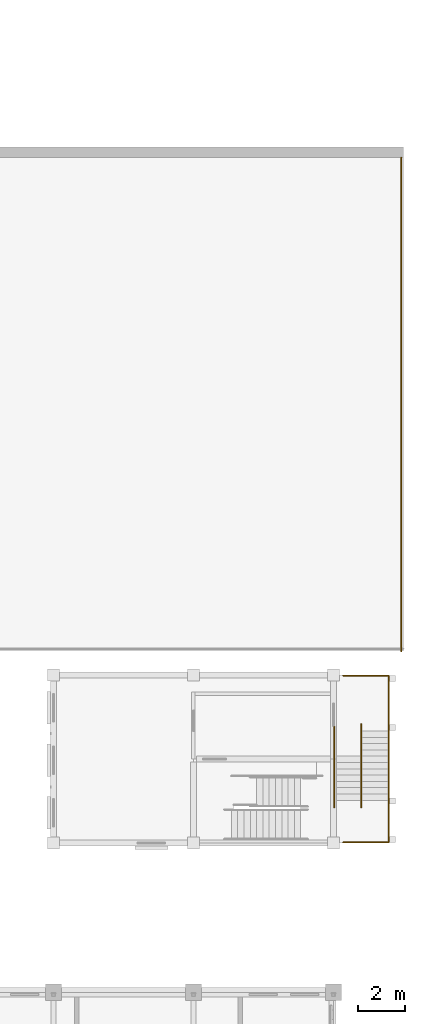
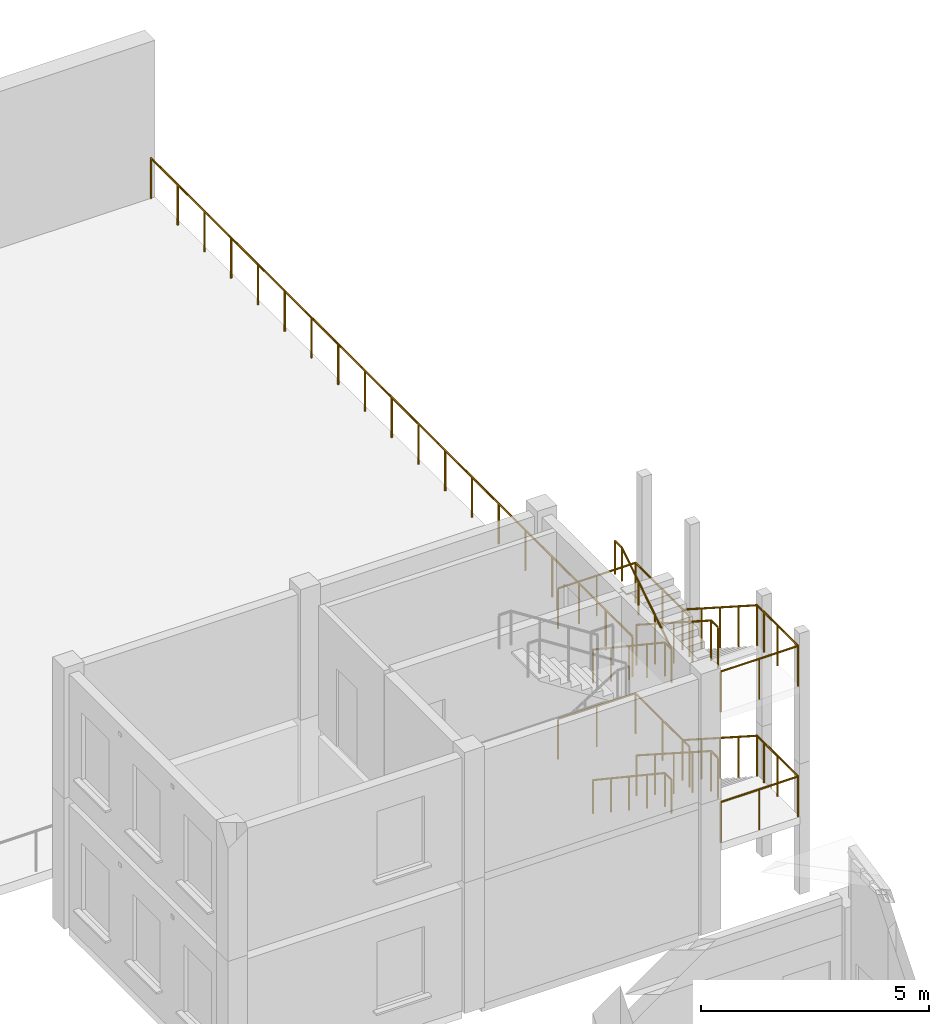
# One storey, part 102 of 103: 12 railings.
"""IFC4 building model written with IfcOpenShell, lengths in metres."""

import ifcopenshell
import ifcopenshell.guid

model = None  # the IFC model being written
_history = None  # IfcOwnerHistory: only IFC2X3 demands one
_inside = {}  # id of a spatial element -> (the spatial element, [elements in it])
_under = {}  # id of a project, library or spatial element -> (it, [spatial elements below it])
_declared = {}  # id of a project -> (the project, [libraries it declares])
_typed = {}  # id of a type object -> (the type object, [elements of that type])
_made_of = {}  # id of a material, layer set ... -> (it, [elements and type objects made of it])


def new_model(schema):
    """Start an empty IFC model of exactly this schema.

    Asked for "IFC4X3", IfcOpenShell would pick the latest addendum, in which some entities
    have other attributes; the version numbers below select the first issue.
    IFC2X3 requires an IfcOwnerHistory on every rooted entity: one is made here for all.
    """
    global model, _history
    if schema == "IFC4X3":
        model = ifcopenshell.file(schema_version=(4, 3, 0, 0))
    else:
        model = ifcopenshell.file(schema=schema)
    _inside.clear()
    _under.clear()
    _declared.clear()
    _typed.clear()
    _made_of.clear()
    _history = None
    if model.schema == "IFC2X3":
        org = make("IfcOrganization", Name="unknown")
        user = make(
            "IfcPersonAndOrganization",
            ThePerson=make("IfcPerson", FamilyName="unknown"),
            TheOrganization=org,
        )
        app = make(
            "IfcApplication",
            ApplicationDeveloper=org,
            Version="unknown",
            ApplicationFullName="unknown",
            ApplicationIdentifier="unknown",
        )
        _history = make(
            "IfcOwnerHistory",
            OwningUser=user,
            OwningApplication=app,
            ChangeAction="ADDED",
            CreationDate=0,
        )
    return model


def make(cls, **values):
    """One entity of the class cls with the attributes given. An attribute that is None is left unset."""
    return model.create_entity(
        cls, **{name: value for name, value in values.items() if value is not None}
    )


def rooted(cls, **values):
    """An entity with a GlobalId (a new one), such as an element, a storey or a relation."""
    return make(cls, GlobalId=ifcopenshell.guid.new(), OwnerHistory=_history, **values)


def si_unit(unit_type, name, prefix=None):
    """IfcSIUnit, for example si_unit("LENGTHUNIT", "METRE", prefix="MILLI")."""
    return make("IfcSIUnit", UnitType=unit_type, Prefix=prefix, Name=name)


def assignment(units):
    """IfcUnitAssignment: the units of a project."""
    return None if units is None else make("IfcUnitAssignment", Units=units)


def point(xyz):
    """IfcCartesianPoint."""
    return None if xyz is None else make("IfcCartesianPoint", Coordinates=xyz)


def direction(xyz):
    """IfcDirection."""
    return None if xyz is None else make("IfcDirection", DirectionRatios=xyz)


def frame(location, z_axis=None, x_axis=None):
    """IfcAxis2Placement3D, a coordinate frame: its origin and axes. An axis left out is left unset."""
    return make(
        "IfcAxis2Placement3D",
        Location=point(location),
        Axis=direction(z_axis),
        RefDirection=direction(x_axis),
    )


def frame_2d(location, x_axis=None):
    """IfcAxis2Placement2D, a coordinate frame in the plane: its origin and x axis."""
    return make(
        "IfcAxis2Placement2D", Location=point(location), RefDirection=direction(x_axis)
    )


def origin():
    """The frame at (0, 0, 0) with its axes left unset."""
    return frame((0.0, 0.0, 0.0))


def origin_2d():
    """The frame at (0, 0) in the plane with its x axis left unset."""
    return frame_2d((0.0, 0.0))


def place(relative_to, where):
    """IfcLocalPlacement: puts the frame where relative to a parent placement (None: the world)."""
    return make(
        "IfcLocalPlacement", PlacementRelTo=relative_to, RelativePlacement=where
    )


def context(
    kind, dimensions, precision=None, world=None, true_north=None, identifier=None
):
    """IfcGeometricRepresentationContext, for example the 3D "Model" context."""
    return make(
        "IfcGeometricRepresentationContext",
        ContextIdentifier=identifier,
        ContextType=kind,
        CoordinateSpaceDimension=dimensions,
        Precision=precision,
        WorldCoordinateSystem=world,
        TrueNorth=true_north,
    )


def subcontext(parent, identifier, kind, view, scale=None):
    """IfcGeometricRepresentationSubContext, for example "Body" below "Model"."""
    return make(
        "IfcGeometricRepresentationSubContext",
        ContextIdentifier=identifier,
        ContextType=kind,
        ParentContext=parent,
        TargetScale=scale,
        TargetView=view,
    )


def project(units=None, contexts=None):
    """IfcProject with its units and contexts."""
    return rooted(
        "IfcProject",
        Name="project",
        RepresentationContexts=contexts,
        UnitsInContext=assignment(units),
    )


def spatial(cls, under=None, at=None, **own):
    """A site, building, storey or space (cls), placed at a placement, below another one or the project."""
    s = rooted(cls, ObjectPlacement=at, **own)
    if under is not None:
        _under.setdefault(under.id(), (under, []))[1].append(s)
    return s


def profile(cls, at=None, kind="AREA", **sizes):
    """A parametric profile (cls). Its sizes go by their IFC names, for example OverallWidth=200.0."""
    return make(cls, ProfileType=kind, Position=at, **sizes)


def circle(**sizes):
    """IfcCircleProfileDef."""
    return profile("IfcCircleProfileDef", **sizes)


def extrude(swept, where, along, depth):
    """IfcExtrudedAreaSolid: the profile swept, set in the frame where, extruded along a direction by depth."""
    return make(
        "IfcExtrudedAreaSolid",
        SweptArea=swept,
        Position=where,
        ExtrudedDirection=direction(along),
        Depth=depth,
    )


def shape(context_of_items, identifier, shape_type, items):
    """IfcShapeRepresentation: the items that make up one representation, for example the "Body"."""
    return make(
        "IfcShapeRepresentation",
        ContextOfItems=context_of_items,
        RepresentationIdentifier=identifier,
        RepresentationType=shape_type,
        Items=items,
    )


def material(Name=None, Category=None):
    """IfcMaterial."""
    return make("IfcMaterial", Name=Name, Category=Category)


def made_of(thing, what):
    """Note that an element or type object is made of a material, layer set ...; save() writes the relation."""
    if what is not None:
        _made_of.setdefault(what.id(), (what, []))[1].append(thing)
    return thing


def type_object(cls, material=None, **own):
    """A type object (cls), such as IfcWallType, which elements share."""
    return made_of(rooted(cls, **own), material)


def element(
    cls,
    number,
    at=None,
    inside=None,
    cuts=None,
    type_object=None,
    material=None,
    context=None,
    identifier="Body",
    shape_type=None,
    held_by="IfcProductDefinitionShape",
    body=None,
    shapes=None,
    **own,
):
    """One element of the class cls, such as IfcWall. Its Tag is "e" and its number.

    at: its placement. inside: the storey or other place that contains it. cuts: it is an
    opening in that element (IfcRelVoidsElement). A single representation is given by context,
    identifier, shape_type and body (its items); several are given by shapes. held_by: the class
    of the entity that holds the representations. save() writes the other relations.
    """
    e = rooted(cls, Tag="e%d" % number, ObjectPlacement=at, **own)
    if body is not None:
        shapes = [shape(context, identifier, shape_type, body)]
    if shapes is not None:
        e.Representation = make(held_by, Representations=shapes)
    if inside is not None:
        _inside.setdefault(inside.id(), (inside, []))[1].append(e)
    if cuts is not None:
        rooted(
            "IfcRelVoidsElement", RelatingBuildingElement=cuts, RelatedOpeningElement=e
        )
    if type_object is not None:
        _typed.setdefault(type_object.id(), (type_object, []))[1].append(e)
    return made_of(e, material)


def aggregate(whole, parts):
    """IfcRelAggregates: a whole, such as a stair, and the parts it consists of."""
    return rooted("IfcRelAggregates", RelatingObject=whole, RelatedObjects=parts)


def save(model, path):
    """Write the relations noted so far, then the file.

    IfcRelAggregates (storeys below a building ...), IfcRelContainedInSpatialStructure (elements
    in a storey), IfcRelDefinesByType, IfcRelAssociatesMaterial and IfcRelDeclares: one each for
    every whole, place, type object, material and project.
    """
    for whole, parts in _under.values():
        aggregate(whole, parts)
    for where, things in _inside.values():
        rooted(
            "IfcRelContainedInSpatialStructure",
            RelatedElements=things,
            RelatingStructure=where,
        )
    for kind, things in _typed.values():
        rooted("IfcRelDefinesByType", RelatedObjects=things, RelatingType=kind)
    for what, things in _made_of.values():
        rooted("IfcRelAssociatesMaterial", RelatedObjects=things, RelatingMaterial=what)
    for by, libraries in _declared.values():
        rooted("IfcRelDeclares", RelatingContext=by, RelatedDefinitions=libraries)
    model.write(path)


model = new_model("IFC4")

# Units and contexts
model_context = context("Model", 3, precision=1e-05, world=origin(), true_north=direction((0.0, 1.0)))
body_context = subcontext(model_context, "Body", "Model", "MODEL_VIEW")
ifc_project = project(units=[si_unit("LENGTHUNIT", "METRE"), si_unit("AREAUNIT", "SQUARE_METRE"), si_unit("VOLUMEUNIT", "CUBIC_METRE"), si_unit("PLANEANGLEUNIT", "RADIAN"), si_unit("MASSUNIT", "GRAM", prefix="KILO")], contexts=[model_context])

# Site, building, storey
site_placement = place(None, origin())
site = spatial("IfcSite", under=ifc_project, at=site_placement, CompositionType="ELEMENT")
building_placement = place(site_placement, origin())
building = spatial("IfcBuilding", under=site, at=building_placement, Name="Laocheng Heights Fire and Rescue Headquarters", CompositionType="ELEMENT")
storey_placement = place(building_placement, frame((0.0, 0.0, 4.199951171875)))
storey = spatial("IfcBuildingStorey", under=building, at=storey_placement, Name="L01", CompositionType="ELEMENT", Elevation=4.199951171875)

# Railings
ifc_material_1 = material(Name="Steel Q355B", Category="steel")
railing_type_1 = type_object("IfcRailingType", Name="STAIR GUARD 1100", PredefinedType="GUARDRAIL", material=ifc_material_1)
railing_1_placement = place(storey_placement, frame((128.3701171875, 32.800048828125, -0.699951171875)))
element("IfcRailing", 1, at=railing_1_placement, inside=storey, type_object=railing_type_1, Name="Stair T2 guard F2 landing edge", PredefinedType="GUARDRAIL", context=body_context, shape_type="SweptSolid", body=[
    extrude(circle(Radius=0.02392578125, at=origin_2d()), frame((0.0, 0.0, 1.076171875), z_axis=(0.0, 1.0, 0.0), x_axis=(-1.0, 0.0, 0.0)), (0.0, 0.0, 1.0), 2.369873046875),
    extrude(circle(Radius=0.02392578125, at=origin_2d()), frame((0.0, 2.369873046875, 1.076171875), z_axis=(-1.0, 0.0, 0.0), x_axis=(0.0, -1.0, 0.0)), (0.0, 0.0, 1.0), 1.97021484375),
    extrude(circle(Radius=0.02099609375, at=origin_2d()), origin(), (0.0, 0.0, 1.0), 1.052001953125),
    extrude(circle(Radius=0.02099609375, at=origin_2d()), frame((0.0, 1.18505859375, 0.0)), (0.0, 0.0, 1.0), 1.052001953125),
    extrude(circle(Radius=0.02099609375, at=origin_2d()), frame((0.0, 2.369873046875, 0.0)), (0.0, 0.0, 1.0), 1.052001953125),
    extrude(circle(Radius=0.02099609375, at=origin_2d()), frame((-0.985107421875, 2.369873046875, 0.0)), (0.0, 0.0, 1.0), 1.052001953125),
    extrude(circle(Radius=0.02099609375, at=origin_2d()), frame((-1.97021484375, 2.369873046875, 0.0)), (0.0, 0.0, 1.0), 1.052001953125),
])
for number, where, name in (
    (2, (128.3701171875, 33.10009765625, -0.699951171875), "Stair T2 guard F2 1"),
    (3, (127.199951171875, 33.10009765625, -0.699951171875), "Stair T2 guard F2 2"),
):
    element("IfcRailing", number, at=place(storey_placement, frame(where)), inside=storey, type_object=railing_type_1, Name=name, PredefinedType="GUARDRAIL", context=body_context, shape_type="SweptSolid", body=[
        extrude(circle(Radius=0.02392578125, at=origin_2d()), frame((0.0, 0.0, 1.076171875), z_axis=(0.0, -0.841419242076, 0.540382881913), x_axis=(1.0, 0.0, 0.0)), (0.0, 0.0, 1.0), 3.88623046875),
        extrude(circle(Radius=0.02392578125, at=origin_2d()), frame((0.0, -3.27001953125, 3.17626953125), z_axis=(0.0, -1.0, 0.0), x_axis=(1.0, 0.0, 0.0)), (0.0, 0.0, 1.0), 0.300048828125),
        extrude(circle(Radius=0.02099609375, at=origin_2d()), origin(), (0.0, 0.0, 1.0), 1.052001953125),
        extrude(circle(Radius=0.02099609375, at=origin_2d()), frame((0.0, -0.8173828125, 0.52490234375)), (0.0, 0.0, 1.0), 1.052001953125),
        extrude(circle(Radius=0.02099609375, at=origin_2d()), frame((0.0, -1.635009765625, 1.050048828125)), (0.0, 0.0, 1.0), 1.052001953125),
        extrude(circle(Radius=0.02099609375, at=origin_2d()), frame((0.0, -2.45263671875, 1.5751953125)), (0.0, 0.0, 1.0), 1.052001953125),
        extrude(circle(Radius=0.02099609375, at=origin_2d()), frame((0.0, -3.27001953125, 2.10009765625)), (0.0, 0.0, 1.0), 1.052001953125),
        extrude(circle(Radius=0.02099609375, at=origin_2d()), frame((0.0, -3.570068359375, 2.10009765625)), (0.0, 0.0, 1.0), 1.052001953125),
    ])
railing_2_placement = place(storey_placement, frame((128.3701171875, 29.830078125, 1.400146484375)))
element("IfcRailing", 4, at=railing_2_placement, inside=storey, type_object=railing_type_1, Name="Stair T2 guard F2 half landing", PredefinedType="GUARDRAIL", context=body_context, shape_type="SweptSolid", body=[
    extrude(circle(Radius=0.02392578125, at=origin_2d()), frame((0.0, 0.0, 1.076171875), z_axis=(0.0, -1.0, 0.0), x_axis=(1.0, 0.0, 0.0)), (0.0, 0.0, 1.0), 1.800048828125),
    extrude(circle(Radius=0.02392578125, at=origin_2d()), frame((0.0, -1.800048828125, 1.076171875), z_axis=(-1.0, 0.0, 0.0), x_axis=(0.0, -1.0, 0.0)), (0.0, 0.0, 1.0), 1.97021484375),
    extrude(circle(Radius=0.02099609375, at=origin_2d()), origin(), (0.0, 0.0, 1.0), 1.052001953125),
    extrude(circle(Radius=0.02099609375, at=origin_2d()), frame((0.0, -0.89990234375, 0.0)), (0.0, 0.0, 1.0), 1.052001953125),
    extrude(circle(Radius=0.02099609375, at=origin_2d()), frame((0.0, -1.800048828125, 0.0)), (0.0, 0.0, 1.0), 1.052001953125),
    extrude(circle(Radius=0.02099609375, at=origin_2d()), frame((-0.985107421875, -1.800048828125, 0.0)), (0.0, 0.0, 1.0), 1.052001953125),
    extrude(circle(Radius=0.02099609375, at=origin_2d()), frame((-1.97021484375, -1.800048828125, 0.0)), (0.0, 0.0, 1.0), 1.052001953125),
])
railing_3_placement = place(storey_placement, frame((128.3701171875, 32.800048828125, 2.800048828125)))
element("IfcRailing", 5, at=railing_3_placement, inside=storey, type_object=railing_type_1, Name="Stair T2 guard F3 landing edge", PredefinedType="GUARDRAIL", context=body_context, shape_type="SweptSolid", body=[
    extrude(circle(Radius=0.02392578125, at=origin_2d()), frame((0.0, 0.0, 1.076171875), z_axis=(0.0, 1.0, 0.0), x_axis=(-1.0, 0.0, 0.0)), (0.0, 0.0, 1.0), 2.369873046875),
    extrude(circle(Radius=0.02392578125, at=origin_2d()), frame((0.0, 2.369873046875, 1.076171875), z_axis=(-1.0, 0.0, 0.0), x_axis=(0.0, -1.0, 0.0)), (0.0, 0.0, 1.0), 1.97021484375),
    extrude(circle(Radius=0.02099609375, at=origin_2d()), origin(), (0.0, 0.0, 1.0), 1.052001953125),
    extrude(circle(Radius=0.02099609375, at=origin_2d()), frame((0.0, 1.18505859375, 0.0)), (0.0, 0.0, 1.0), 1.052001953125),
    extrude(circle(Radius=0.02099609375, at=origin_2d()), frame((0.0, 2.369873046875, 0.0)), (0.0, 0.0, 1.0), 1.052001953125),
    extrude(circle(Radius=0.02099609375, at=origin_2d()), frame((-0.985107421875, 2.369873046875, 0.0)), (0.0, 0.0, 1.0), 1.052001953125),
    extrude(circle(Radius=0.02099609375, at=origin_2d()), frame((-1.97021484375, 2.369873046875, 0.0)), (0.0, 0.0, 1.0), 1.052001953125),
])
for number, where, name in (
    (6, (128.3701171875, 33.10009765625, 2.800048828125), "Stair T2 guard F3 1"),
    (7, (127.199951171875, 33.10009765625, 2.800048828125), "Stair T2 guard F3 2"),
):
    element("IfcRailing", number, at=place(storey_placement, frame(where)), inside=storey, type_object=railing_type_1, Name=name, PredefinedType="GUARDRAIL", context=body_context, shape_type="SweptSolid", body=[
        extrude(circle(Radius=0.02392578125, at=origin_2d()), frame((0.0, 0.0, 1.076171875), z_axis=(0.0, -0.841419242076, 0.540382881913), x_axis=(1.0, 0.0, 0.0)), (0.0, 0.0, 1.0), 3.88623046875),
        extrude(circle(Radius=0.02392578125, at=origin_2d()), frame((0.0, -3.27001953125, 3.17626953125), z_axis=(0.0, -1.0, 0.0), x_axis=(1.0, 0.0, 0.0)), (0.0, 0.0, 1.0), 0.300048828125),
        extrude(circle(Radius=0.02099609375, at=origin_2d()), origin(), (0.0, 0.0, 1.0), 1.052001953125),
        extrude(circle(Radius=0.02099609375, at=origin_2d()), frame((0.0, -0.8173828125, 0.52490234375)), (0.0, 0.0, 1.0), 1.052001953125),
        extrude(circle(Radius=0.02099609375, at=origin_2d()), frame((0.0, -1.635009765625, 1.050048828125)), (0.0, 0.0, 1.0), 1.052001953125),
        extrude(circle(Radius=0.02099609375, at=origin_2d()), frame((0.0, -2.45263671875, 1.5751953125)), (0.0, 0.0, 1.0), 1.052001953125),
        extrude(circle(Radius=0.02099609375, at=origin_2d()), frame((0.0, -3.27001953125, 2.10009765625)), (0.0, 0.0, 1.0), 1.052001953125),
        extrude(circle(Radius=0.02099609375, at=origin_2d()), frame((0.0, -3.570068359375, 2.10009765625)), (0.0, 0.0, 1.0), 1.052001953125),
    ])
railing_4_placement = place(storey_placement, frame((128.3701171875, 29.830078125, 4.900146484375)))
element("IfcRailing", 8, at=railing_4_placement, inside=storey, type_object=railing_type_1, Name="Stair T2 guard F3 half landing", PredefinedType="GUARDRAIL", context=body_context, shape_type="SweptSolid", body=[
    extrude(circle(Radius=0.02392578125, at=origin_2d()), frame((0.0, 0.0, 1.076171875), z_axis=(0.0, -1.0, 0.0), x_axis=(1.0, 0.0, 0.0)), (0.0, 0.0, 1.0), 1.800048828125),
    extrude(circle(Radius=0.02392578125, at=origin_2d()), frame((0.0, -1.800048828125, 1.076171875), z_axis=(-1.0, 0.0, 0.0), x_axis=(0.0, -1.0, 0.0)), (0.0, 0.0, 1.0), 1.97021484375),
    extrude(circle(Radius=0.02099609375, at=origin_2d()), origin(), (0.0, 0.0, 1.0), 1.052001953125),
    extrude(circle(Radius=0.02099609375, at=origin_2d()), frame((0.0, -0.89990234375, 0.0)), (0.0, 0.0, 1.0), 1.052001953125),
    extrude(circle(Radius=0.02099609375, at=origin_2d()), frame((0.0, -1.800048828125, 0.0)), (0.0, 0.0, 1.0), 1.052001953125),
    extrude(circle(Radius=0.02099609375, at=origin_2d()), frame((-0.985107421875, -1.800048828125, 0.0)), (0.0, 0.0, 1.0), 1.052001953125),
    extrude(circle(Radius=0.02099609375, at=origin_2d()), frame((-1.97021484375, -1.800048828125, 0.0)), (0.0, 0.0, 1.0), 1.052001953125),
])
ifc_material_2 = material(Name="Steel Q355B", Category="steel")
railing_type_2 = type_object("IfcRailingType", Name="STAIR HANDRAIL 920", PredefinedType="HANDRAIL", material=ifc_material_2)
for number, where, name in (
    (9, (126.030029296875, 32.97998046875, -0.699951171875), "Stair T2 handrail F2 3"),
    (10, (126.030029296875, 32.97998046875, 2.800048828125), "Stair T2 handrail F3 3"),
):
    element("IfcRailing", number, at=place(storey_placement, frame(where)), inside=storey, type_object=railing_type_2, Name=name, PredefinedType="HANDRAIL", context=body_context, shape_type="SweptSolid", body=[
        extrude(circle(Radius=0.02392578125, at=origin_2d()), frame((0.0, 0.0, 0.89599609375), z_axis=(0.0, -0.832030451194, 0.554729959787), x_axis=(1.0, 0.0, 0.0)), (0.0, 0.0, 1.0), 3.785888671875),
        extrude(circle(Radius=0.02392578125, at=origin_2d()), frame((0.0, -3.14990234375, 2.99609375), z_axis=(0.0, -1.0, 0.0), x_axis=(1.0, 0.0, 0.0)), (0.0, 0.0, 1.0), 0.300048828125),
        extrude(circle(Radius=0.02099609375, at=origin_2d()), origin(), (0.0, 0.0, 1.0), 0.871826171875),
        extrude(circle(Radius=0.02099609375, at=origin_2d()), frame((0.0, -0.78759765625, 0.52490234375)), (0.0, 0.0, 1.0), 0.871826171875),
        extrude(circle(Radius=0.02099609375, at=origin_2d()), frame((0.0, -1.574951171875, 1.050048828125)), (0.0, 0.0, 1.0), 0.871826171875),
        extrude(circle(Radius=0.02099609375, at=origin_2d()), frame((0.0, -2.3623046875, 1.5751953125)), (0.0, 0.0, 1.0), 0.871826171875),
        extrude(circle(Radius=0.02099609375, at=origin_2d()), frame((0.0, -3.14990234375, 2.10009765625)), (0.0, 0.0, 1.0), 0.871826171875),
        extrude(circle(Radius=0.02099609375, at=origin_2d()), frame((0.0, -3.449951171875, 2.10009765625)), (0.0, 0.0, 1.0), 0.871826171875),
    ])
railing_5_placement = place(storey_placement, frame((126.030029296875, 29.530029296875, 4.900146484375)))
element("IfcRailing", 11, at=railing_5_placement, inside=storey, type_object=railing_type_2, Name="Stair T2 handrail F3 4", PredefinedType="HANDRAIL", context=body_context, shape_type="SweptSolid", body=[
    extrude(circle(Radius=0.02392578125, at=origin_2d()), frame((0.0, 0.0, 0.89599609375), z_axis=(0.0, 0.842561281479, 0.538600489186), x_axis=(-1.0, 0.0, 0.0)), (0.0, 0.0, 1.0), 2.59912109375),
    extrude(circle(Radius=0.02392578125, at=origin_2d()), frame((0.0, 2.18994140625, 2.2958984375), z_axis=(0.0, 1.0, 0.0), x_axis=(-1.0, 0.0, 0.0)), (0.0, 0.0, 1.0), 0.300048828125),
    extrude(circle(Radius=0.02099609375, at=origin_2d()), origin(), (0.0, 0.0, 1.0), 0.871826171875),
    extrude(circle(Radius=0.02099609375, at=origin_2d()), frame((0.0, 0.72998046875, 0.466552734375)), (0.0, 0.0, 1.0), 0.871826171875),
    extrude(circle(Radius=0.02099609375, at=origin_2d()), frame((0.0, 1.4599609375, 0.933349609375)), (0.0, 0.0, 1.0), 0.871826171875),
    extrude(circle(Radius=0.02099609375, at=origin_2d()), frame((0.0, 2.18994140625, 1.39990234375)), (0.0, 0.0, 1.0), 0.871826171875),
    extrude(circle(Radius=0.02099609375, at=origin_2d()), frame((0.0, 2.489990234375, 1.39990234375)), (0.0, 0.0, 1.0), 0.871826171875),
])
ifc_material_3 = material(Name="Steel Q355B", Category="steel")
railing_type_3 = type_object("IfcRailingType", Name="STEEL GUARDRAIL 1100 SITE BOUNDARY", PredefinedType="GUARDRAIL", material=ifc_material_3)
railing_6_placement = place(storey_placement, frame((128.89990234375, 57.375, 0.0)))
element("IfcRailing", 12, at=railing_6_placement, inside=storey, type_object=railing_type_3, Name="Site boundary guard L01", PredefinedType="GUARDRAIL", context=body_context, shape_type="SweptSolid", body=[
    extrude(circle(Radius=0.02490234375, at=origin_2d()), frame((0.0, 0.0, 1.0751953125), z_axis=(0.0, -1.0, 0.0), x_axis=(1.0, 0.0, 0.0)), (0.0, 0.0, 1.0), 21.14990234375),
    extrude(circle(Radius=0.02490234375, at=origin_2d()), origin(), (0.0, 0.0, 1.0), 1.050048828125),
    extrude(circle(Radius=0.02490234375, at=origin_2d()), frame((0.0, -1.175048828125, 0.0)), (0.0, 0.0, 1.0), 1.050048828125),
    extrude(circle(Radius=0.02490234375, at=origin_2d()), frame((0.0, -2.35009765625, 0.0)), (0.0, 0.0, 1.0), 1.050048828125),
    extrude(circle(Radius=0.02490234375, at=origin_2d()), frame((0.0, -3.52490234375, 0.0)), (0.0, 0.0, 1.0), 1.050048828125),
    extrude(circle(Radius=0.02490234375, at=origin_2d()), frame((0.0, -4.699951171875, 0.0)), (0.0, 0.0, 1.0), 1.050048828125),
    extrude(circle(Radius=0.02490234375, at=origin_2d()), frame((0.0, -5.875, 0.0)), (0.0, 0.0, 1.0), 1.050048828125),
    extrude(circle(Radius=0.02490234375, at=origin_2d()), frame((0.0, -7.050048828125, 0.0)), (0.0, 0.0, 1.0), 1.050048828125),
    extrude(circle(Radius=0.02490234375, at=origin_2d()), frame((0.0, -8.224853515625, 0.0)), (0.0, 0.0, 1.0), 1.050048828125),
    extrude(circle(Radius=0.02490234375, at=origin_2d()), frame((0.0, -9.39990234375, 0.0)), (0.0, 0.0, 1.0), 1.050048828125),
    extrude(circle(Radius=0.02490234375, at=origin_2d()), frame((0.0, -10.574951171875, 0.0)), (0.0, 0.0, 1.0), 1.050048828125),
    extrude(circle(Radius=0.02490234375, at=origin_2d()), frame((0.0, -11.75, 0.0)), (0.0, 0.0, 1.0), 1.050048828125),
    extrude(circle(Radius=0.02490234375, at=origin_2d()), frame((0.0, -12.925048828125, 0.0)), (0.0, 0.0, 1.0), 1.050048828125),
    extrude(circle(Radius=0.02490234375, at=origin_2d()), frame((0.0, -14.099853515625, 0.0)), (0.0, 0.0, 1.0), 1.050048828125),
    extrude(circle(Radius=0.02490234375, at=origin_2d()), frame((0.0, -15.27490234375, 0.0)), (0.0, 0.0, 1.0), 1.050048828125),
    extrude(circle(Radius=0.02490234375, at=origin_2d()), frame((0.0, -16.449951171875, 0.0)), (0.0, 0.0, 1.0), 1.050048828125),
    extrude(circle(Radius=0.02490234375, at=origin_2d()), frame((0.0, -17.625, 0.0)), (0.0, 0.0, 1.0), 1.050048828125),
    extrude(circle(Radius=0.02490234375, at=origin_2d()), frame((0.0, -18.7998046875, 0.0)), (0.0, 0.0, 1.0), 1.050048828125),
    extrude(circle(Radius=0.02490234375, at=origin_2d()), frame((0.0, -19.974853515625, 0.0)), (0.0, 0.0, 1.0), 1.050048828125),
    extrude(circle(Radius=0.02490234375, at=origin_2d()), frame((0.0, -21.14990234375, 0.0)), (0.0, 0.0, 1.0), 1.050048828125),
])

save(model, "model.ifc")
